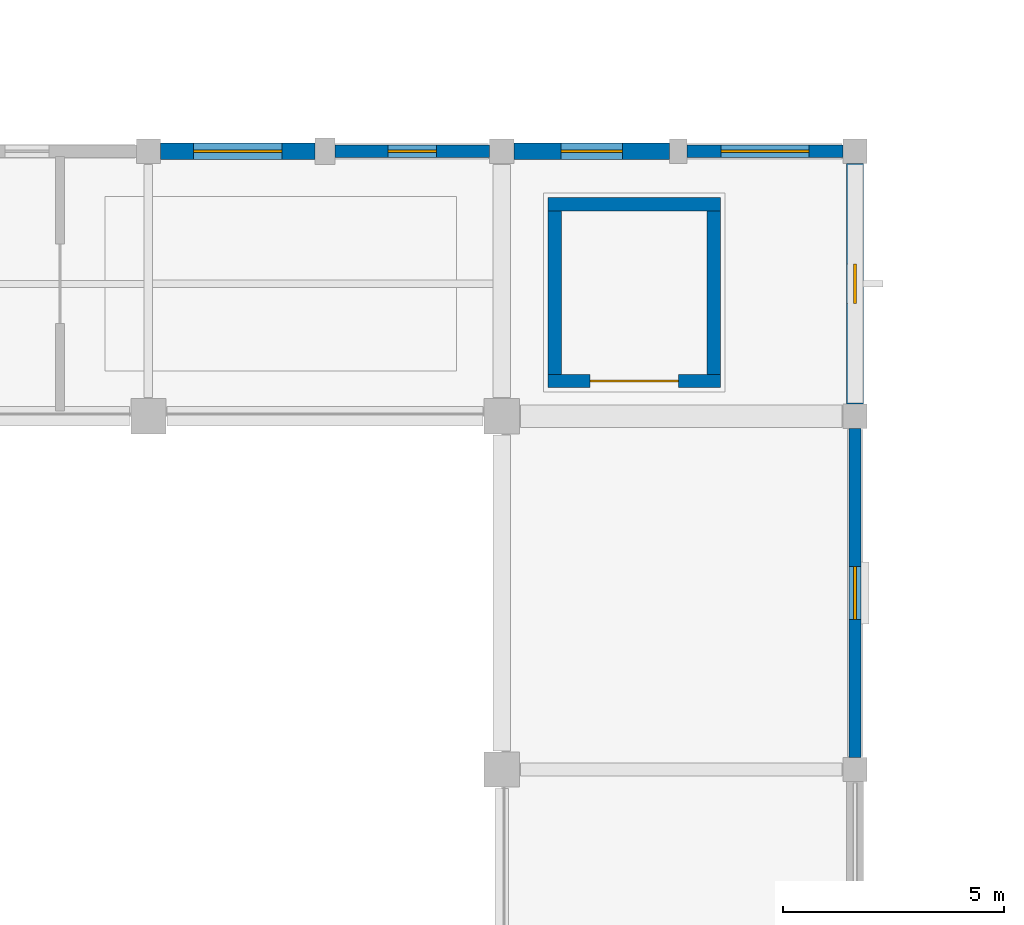
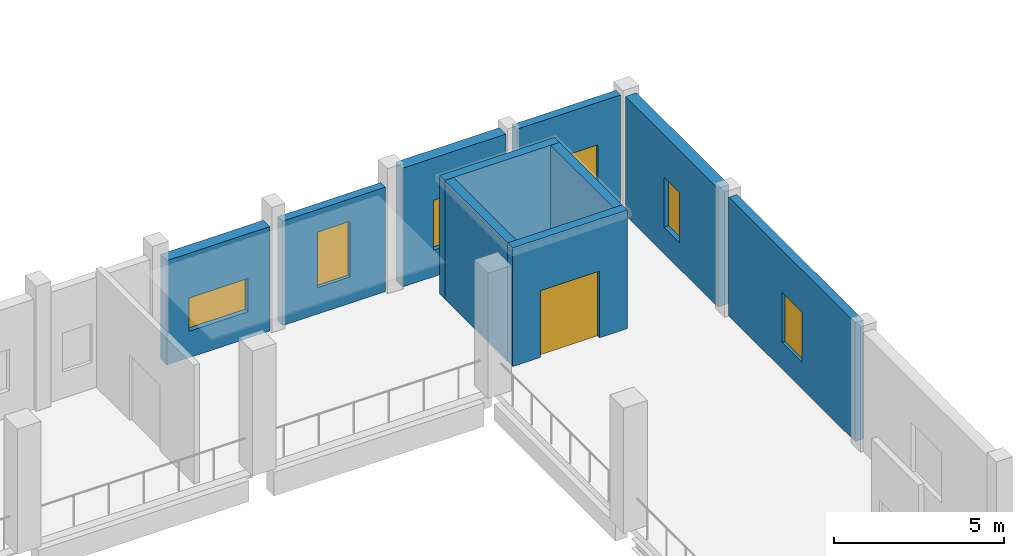
# One storey, part 44 of 77: 10 walls, 6 windows, 1 door, 7 openings.
"""IFC4 building model written with IfcOpenShell, lengths in metres."""

from ifc_helpers import new_model, si_unit, direction, frame, frame_2d, origin, place, context, subcontext, project, spatial, rectangle, extrude, material, layer, layer_set, type_object, element, fill, save


model = new_model("IFC4")

# Units and contexts
model_context = context("Model", 3, precision=1e-05, world=origin(), true_north=direction((0.0, 1.0)))
body_context = subcontext(model_context, "Body", "Model", "MODEL_VIEW")
ifc_project = project(units=[si_unit("LENGTHUNIT", "METRE"), si_unit("AREAUNIT", "SQUARE_METRE"), si_unit("VOLUMEUNIT", "CUBIC_METRE"), si_unit("PLANEANGLEUNIT", "RADIAN"), si_unit("MASSUNIT", "GRAM", prefix="KILO")], contexts=[model_context])

# Site, building, storey
site_placement = place(None, origin())
site = spatial("IfcSite", under=ifc_project, at=site_placement, CompositionType="ELEMENT")
building_placement = place(site_placement, origin())
building = spatial("IfcBuilding", under=site, at=building_placement, Name="Luwemba Playhouse", CompositionType="ELEMENT")
storey_placement = place(building_placement, frame((0.0, 0.0, 9.300048828125)))
storey = spatial("IfcBuildingStorey", under=building, at=storey_placement, Name="L02", CompositionType="ELEMENT", Elevation=9.300048828125)

# Wall, opening, window
ifc_material_1 = material(Name="Clay facing brick obra vista masonry", Category="masonry")
ifc_layer_1 = layer(ifc_material_1, 0.3798828125)
ifc_layer_set_1 = layer_set([ifc_layer_1], Name="Clay facing brick obra vista masonry")
wall_type_1 = type_object("IfcWallType", Name="WAL-BRK-380", PredefinedType="SOLIDWALL", material=ifc_layer_set_1)
wall_1_placement = place(storey_placement, frame((36.27490234375, 90.0, 0.0), z_axis=(0.0, 0.0, 1.0), x_axis=(1.0, 0.0, 0.0)))
wall_1 = element("IfcWall", 1, at=wall_1_placement, inside=storey, type_object=wall_type_1, Name="L02 V2 exterior facade wall 0296", PredefinedType="SOLIDWALL", context=body_context, shape_type="SweptSolid", body=[
    extrude(rectangle(XDim=3.5, YDim=0.3798828125, at=frame_2d((1.75, 0.0))), origin(), (0.0, 0.0, 1.0), 3.7548828125),
])
opening_1_placement = place(wall_1_placement, frame((0.75, 0.0, 0.949951171875)))
opening_1 = element("IfcOpeningElement", 2, at=opening_1_placement, cuts=wall_1, Name="Opening WN-16", PredefinedType="OPENING", context=body_context, shape_type="SweptSolid", body=[
    extrude(rectangle(XDim=2.0, YDim=1.199951171875, at=frame_2d((1.0, 0.60009765625))), frame((0.0, 0.199951171875, 0.0), z_axis=(0.0, -1.0, 0.0), x_axis=(1.0, 0.0, 0.0)), (0.0, 0.0, 1.0), 0.39990234375),
])
ifc_material_2 = material(Name="Solar-control double glazing in aluminium frame", Category="aluminium")
window_type_1 = type_object("IfcWindowType", Name="WIN-WN-16", PartitioningType="DOUBLE_PANEL_HORIZONTAL", PredefinedType="WINDOW", material=ifc_material_2)
window_1_placement = place(opening_1_placement, origin())
window_1 = element("IfcWindow", 3, at=window_1_placement, inside=storey, type_object=window_type_1, Name="L02 V2 scheduled window 0242", OverallHeight=1.199951171875, OverallWidth=2.0, PartitioningType="DOUBLE_PANEL_HORIZONTAL", PredefinedType="WINDOW", context=body_context, shape_type="SweptSolid", body=[
    extrude(rectangle(XDim=2.0, YDim=1.199951171875, at=frame_2d((1.0, 0.60009765625))), frame((0.0, 0.030029296875, 0.0), z_axis=(0.0, -1.0, 0.0), x_axis=(1.0, 0.0, 0.0)), (0.0, 0.0, 1.0), 0.06005859375),
])
fill(opening_1, window_1)

wall_2_placement = place(storey_placement, frame((44.27490234375, 90.0, 0.0), z_axis=(0.0, 0.0, 1.0), x_axis=(1.0, 0.0, 0.0)))
wall_2 = element("IfcWall", 4, at=wall_2_placement, inside=storey, type_object=wall_type_1, Name="L02 V2 exterior facade wall 0298", PredefinedType="SOLIDWALL", context=body_context, shape_type="SweptSolid", body=[
    extrude(rectangle(XDim=3.525146484375, YDim=0.3798828125, at=frame_2d((1.7626953125, 0.0))), origin(), (0.0, 0.0, 1.0), 4.27001953125),
])
opening_2_placement = place(wall_2_placement, frame((1.0625, 0.0, 0.949951171875)))
opening_2 = element("IfcOpeningElement", 5, at=opening_2_placement, cuts=wall_2, Name="Opening WN-02", PredefinedType="OPENING", context=body_context, shape_type="SweptSolid", body=[
    extrude(rectangle(XDim=1.39990234375, YDim=1.800048828125, at=frame_2d((0.699951171875, 0.89990234375))), frame((0.0, 0.199951171875, 0.0), z_axis=(0.0, -1.0, 0.0), x_axis=(1.0, 0.0, 0.0)), (0.0, 0.0, 1.0), 0.39990234375),
])
window_type_2 = type_object("IfcWindowType", Name="WIN-WN-02", PartitioningType="DOUBLE_PANEL_VERTICAL", PredefinedType="WINDOW", material=ifc_material_2)
window_2_placement = place(opening_2_placement, origin())
window_2 = element("IfcWindow", 6, at=window_2_placement, inside=storey, type_object=window_type_2, Name="L02 V2 scheduled window 0244", OverallHeight=1.800048828125, OverallWidth=1.39990234375, PartitioningType="DOUBLE_PANEL_VERTICAL", PredefinedType="WINDOW", context=body_context, shape_type="SweptSolid", body=[
    extrude(rectangle(XDim=1.39990234375, YDim=1.800048828125, at=frame_2d((0.699951171875, 0.89990234375))), frame((0.0, 0.030029296875, 0.0), z_axis=(0.0, -1.0, 0.0), x_axis=(1.0, 0.0, 0.0)), (0.0, 0.0, 1.0), 0.06005859375),
])
fill(opening_2, window_2)

wall_3_placement = place(storey_placement, frame((52.0, 89.72509765625, 0.0), z_axis=(0.0, 0.0, 1.0), x_axis=(0.0, -1.0, 0.0)))
wall_3 = element("IfcWall", 7, at=wall_3_placement, inside=storey, type_object=wall_type_1, Name="L02 V2 exterior facade wall 0300", PredefinedType="SOLIDWALL", context=body_context, shape_type="SweptSolid", body=[
    extrude(rectangle(XDim=5.4501953125, YDim=0.3798828125, at=frame_2d((2.72509765625, 0.0))), origin(), (0.0, 0.0, 1.0), 4.27001953125),
])
opening_3_placement = place(wall_3_placement, frame((2.27490234375, 0.0, 0.949951171875)))
opening_3 = element("IfcOpeningElement", 8, at=opening_3_placement, cuts=wall_3, Name="Opening WN-18", PredefinedType="OPENING", context=body_context, shape_type="SweptSolid", body=[
    extrude(rectangle(XDim=0.89990234375, YDim=1.800048828125, at=frame_2d((0.449951171875, 0.89990234375))), frame((0.0, 0.199951171875, 0.0), z_axis=(0.0, -1.0, 0.0), x_axis=(1.0, 0.0, 0.0)), (0.0, 0.0, 1.0), 0.39990234375),
])
window_type_3 = type_object("IfcWindowType", Name="WIN-WN-18", PartitioningType="SINGLE_PANEL", PredefinedType="WINDOW", material=ifc_material_2)
window_3_placement = place(opening_3_placement, origin())
window_3 = element("IfcWindow", 9, at=window_3_placement, inside=storey, type_object=window_type_3, Name="L02 V2 scheduled window 0246", OverallHeight=1.800048828125, OverallWidth=0.89990234375, PartitioningType="SINGLE_PANEL", PredefinedType="WINDOW", context=body_context, shape_type="SweptSolid", body=[
    extrude(rectangle(XDim=0.89990234375, YDim=1.800048828125, at=frame_2d((0.449951171875, 0.89990234375))), frame((0.0, 0.030029296875, 0.0), z_axis=(0.0, -1.0, 0.0), x_axis=(1.0, 0.0, 0.0)), (0.0, 0.0, 1.0), 0.06005859375),
])
fill(opening_3, window_3)

# Wall, opening, door
ifc_material_3 = material(Name="Concrete C40/50", Category="concrete")
ifc_layer_2 = layer(ifc_material_3, 0.300048828125)
ifc_layer_set_2 = layer_set([ifc_layer_2], Name="Concrete C40/50")
wall_type_2 = type_object("IfcWallType", Name="WAL-CORE-300", PredefinedType="SHEAR", material=ifc_layer_set_2)
wall_4_placement = place(storey_placement, frame((45.050048828125, 84.800048828125, 0.0), z_axis=(0.0, 0.0, 1.0), x_axis=(1.0, 0.0, 0.0)))
wall_4 = element("IfcWall", 10, at=wall_4_placement, inside=storey, type_object=wall_type_2, Name="L02 Lift LF-G1 shaft wall S", PredefinedType="SHEAR", context=body_context, shape_type="SweptSolid", body=[
    extrude(rectangle(XDim=3.89990234375, YDim=0.300048828125, at=frame_2d((1.949951171875, 0.0))), origin(), (0.0, 0.0, 1.0), 4.27001953125),
])
opening_4_placement = place(wall_4_placement, frame((0.949951171875, 0.0, 0.0)))
opening_4 = element("IfcOpeningElement", 11, at=opening_4_placement, cuts=wall_4, Name="Opening LD-02", PredefinedType="OPENING", context=body_context, shape_type="SweptSolid", body=[
    extrude(rectangle(XDim=2.0, YDim=2.39990234375, at=frame_2d((1.0, 1.199951171875))), frame((0.0, 0.159912109375, 0.0), z_axis=(0.0, -1.0, 0.0), x_axis=(1.0, 0.0, 0.0)), (0.0, 0.0, 1.0), 0.320068359375),
])
ifc_material_4 = material(Name="Heavy steel goods lift landing doors", Category="steel")
door_type = type_object("IfcDoorType", Name="DR-LIFT-200", OperationType="NOTDEFINED", PredefinedType="DOOR", material=ifc_material_4)
door_placement = place(opening_4_placement, origin())
door = element("IfcDoor", 12, at=door_placement, inside=storey, type_object=door_type, Name="L02 Lift LF-G1 landing door", OperationType="DOUBLE_DOOR_SLIDING", OverallHeight=2.39990234375, OverallWidth=2.0, PredefinedType="DOOR", context=body_context, shape_type="SweptSolid", body=[
    extrude(rectangle(XDim=2.0, YDim=2.39990234375, at=frame_2d((1.0, 1.199951171875))), frame((0.0, 0.02490234375, 0.0), z_axis=(0.0, -1.0, 0.0), x_axis=(1.0, 0.0, 0.0)), (0.0, 0.0, 1.0), 0.050048828125),
])
fill(opening_4, door)

# Walls
wall_5_placement = place(storey_placement, frame((48.949951171875, 88.800048828125, 0.0), z_axis=(0.0, 0.0, 1.0), x_axis=(-1.0, 0.0, 0.0)))
element("IfcWall", 13, at=wall_5_placement, inside=storey, type_object=wall_type_2, Name="L02 Lift LF-G1 shaft wall N", PredefinedType="SHEAR", context=body_context, shape_type="SweptSolid", body=[
    extrude(rectangle(XDim=3.89990234375, YDim=0.300048828125, at=frame_2d((1.949951171875, 0.0))), origin(), (0.0, 0.0, 1.0), 4.27001953125),
])
for number, where, z_axis, x_axis, name in (
    (14, (45.199951171875, 84.949951171875, 0.0), (0.0, 0.0, 1.0), (0.0, 1.0, 0.0), "L02 Lift LF-G1 shaft wall W"),
    (15, (48.800048828125, 88.64990234375, 0.0), (0.0, 0.0, 1.0), (0.0, -1.0, 0.0), "L02 Lift LF-G1 shaft wall E"),
):
    element("IfcWall", number, at=place(storey_placement, frame(where, z_axis=z_axis, x_axis=x_axis)), inside=storey, type_object=wall_type_2, Name=name, PredefinedType="SHEAR", context=body_context, shape_type="SweptSolid", body=[
        extrude(rectangle(XDim=3.699951171875, YDim=0.300048828125, at=frame_2d((1.85009765625, 0.0))), origin(), (0.0, 0.0, 1.0), 4.27001953125),
    ])

# Wall, opening, window
ifc_material_5 = material(Name="Structural timber GL24h infill", Category="wood")
ifc_layer_3 = layer(ifc_material_5, 0.280029296875)
ifc_layer_set_3 = layer_set([ifc_layer_3], Name="Structural timber GL24h infill")
wall_type_3 = type_object("IfcWallType", Name="WAL-TIM-280", PredefinedType="SOLIDWALL", material=ifc_layer_set_3)
wall_6_placement = place(storey_placement, frame((40.22509765625, 90.0, 0.0), z_axis=(0.0, 0.0, 1.0), x_axis=(1.0, 0.0, 0.0)))
wall_6 = element("IfcWall", 16, at=wall_6_placement, inside=storey, type_object=wall_type_3, Name="L02 V2 exterior facade wall 0297", PredefinedType="SOLIDWALL", context=body_context, shape_type="SweptSolid", body=[
    extrude(rectangle(XDim=3.5, YDim=0.280029296875, at=frame_2d((1.75, 0.0))), origin(), (0.0, 0.0, 1.0), 3.7548828125),
])
opening_5_placement = place(wall_6_placement, frame((1.199951171875, 0.0, 0.949951171875)))
opening_5 = element("IfcOpeningElement", 17, at=opening_5_placement, cuts=wall_6, Name="Opening WN-19", PredefinedType="OPENING", context=body_context, shape_type="SweptSolid", body=[
    extrude(rectangle(XDim=1.10009765625, YDim=2.0, at=frame_2d((0.550048828125, 1.0))), frame((0.0, 0.14990234375, 0.0), z_axis=(0.0, -1.0, 0.0), x_axis=(1.0, 0.0, 0.0)), (0.0, 0.0, 1.0), 0.300048828125),
])
window_type_4 = type_object("IfcWindowType", Name="WIN-WN-19", PartitioningType="SINGLE_PANEL", PredefinedType="WINDOW", material=ifc_material_2)
window_4_placement = place(opening_5_placement, origin())
window_4 = element("IfcWindow", 18, at=window_4_placement, inside=storey, type_object=window_type_4, Name="L02 V2 scheduled window 0243", OverallHeight=2.0, OverallWidth=1.10009765625, PartitioningType="SINGLE_PANEL", PredefinedType="WINDOW", context=body_context, shape_type="SweptSolid", body=[
    extrude(rectangle(XDim=1.10009765625, YDim=2.0, at=frame_2d((0.550048828125, 1.0))), frame((0.0, 0.030029296875, 0.0), z_axis=(0.0, -1.0, 0.0), x_axis=(1.0, 0.0, 0.0)), (0.0, 0.0, 1.0), 0.06005859375),
])
fill(opening_5, window_4)

wall_7_placement = place(storey_placement, frame((48.199951171875, 90.0, 0.0), z_axis=(0.0, 0.0, 1.0), x_axis=(1.0, 0.0, 0.0)))
wall_7 = element("IfcWall", 19, at=wall_7_placement, inside=storey, type_object=wall_type_3, Name="L02 V2 exterior facade wall 0299", PredefinedType="SOLIDWALL", context=body_context, shape_type="SweptSolid", body=[
    extrude(rectangle(XDim=3.525146484375, YDim=0.280029296875, at=frame_2d((1.7626953125, 0.0))), origin(), (0.0, 0.0, 1.0), 4.27001953125),
])
opening_6_placement = place(wall_7_placement, frame((0.762451171875, 0.0, 0.949951171875)))
opening_6 = element("IfcOpeningElement", 20, at=opening_6_placement, cuts=wall_7, Name="Opening WN-05", PredefinedType="OPENING", context=body_context, shape_type="SweptSolid", body=[
    extrude(rectangle(XDim=2.0, YDim=1.800048828125, at=frame_2d((1.0, 0.89990234375))), frame((0.0, 0.14990234375, 0.0), z_axis=(0.0, -1.0, 0.0), x_axis=(1.0, 0.0, 0.0)), (0.0, 0.0, 1.0), 0.300048828125),
])
window_type_5 = type_object("IfcWindowType", Name="WIN-WN-05", PartitioningType="TRIPLE_PANEL_VERTICAL", PredefinedType="WINDOW", material=ifc_material_2)
window_5_placement = place(opening_6_placement, origin())
window_5 = element("IfcWindow", 21, at=window_5_placement, inside=storey, type_object=window_type_5, Name="L02 V2 scheduled window 0245", OverallHeight=1.800048828125, OverallWidth=2.0, PartitioningType="TRIPLE_PANEL_VERTICAL", PredefinedType="WINDOW", context=body_context, shape_type="SweptSolid", body=[
    extrude(rectangle(XDim=2.0, YDim=1.800048828125, at=frame_2d((1.0, 0.89990234375))), frame((0.0, 0.030029296875, 0.0), z_axis=(0.0, -1.0, 0.0), x_axis=(1.0, 0.0, 0.0)), (0.0, 0.0, 1.0), 0.06005859375),
])
fill(opening_6, window_5)

wall_8_placement = place(storey_placement, frame((52.0, 83.72509765625, 0.0), z_axis=(0.0, 0.0, 1.0), x_axis=(0.0, -1.0, 0.0)))
wall_8 = element("IfcWall", 22, at=wall_8_placement, inside=storey, type_object=wall_type_3, Name="L02 V2 exterior facade wall 0301", PredefinedType="SOLIDWALL", context=body_context, shape_type="SweptSolid", body=[
    extrude(rectangle(XDim=7.4501953125, YDim=0.280029296875, at=frame_2d((3.72509765625, 0.0))), origin(), (0.0, 0.0, 1.0), 4.27001953125),
])
opening_7_placement = place(wall_8_placement, frame((3.125, 0.0, 0.949951171875)))
opening_7 = element("IfcOpeningElement", 23, at=opening_7_placement, cuts=wall_8, Name="Opening WN-01", PredefinedType="OPENING", context=body_context, shape_type="SweptSolid", body=[
    extrude(rectangle(XDim=1.199951171875, YDim=1.800048828125, at=frame_2d((0.60009765625, 0.89990234375))), frame((0.0, 0.14990234375, 0.0), z_axis=(0.0, -1.0, 0.0), x_axis=(1.0, 0.0, 0.0)), (0.0, 0.0, 1.0), 0.300048828125),
])
window_type_6 = type_object("IfcWindowType", Name="WIN-WN-01", PartitioningType="SINGLE_PANEL", PredefinedType="WINDOW", material=ifc_material_2)
window_6_placement = place(opening_7_placement, origin())
window_6 = element("IfcWindow", 24, at=window_6_placement, inside=storey, type_object=window_type_6, Name="L02 V2 scheduled window 0247", OverallHeight=1.800048828125, OverallWidth=1.199951171875, PartitioningType="SINGLE_PANEL", PredefinedType="WINDOW", context=body_context, shape_type="SweptSolid", body=[
    extrude(rectangle(XDim=1.199951171875, YDim=1.800048828125, at=frame_2d((0.60009765625, 0.89990234375))), frame((0.0, 0.030029296875, 0.0), z_axis=(0.0, -1.0, 0.0), x_axis=(1.0, 0.0, 0.0)), (0.0, 0.0, 1.0), 0.06005859375),
])
fill(opening_7, window_6)

save(model, "model.ifc")
